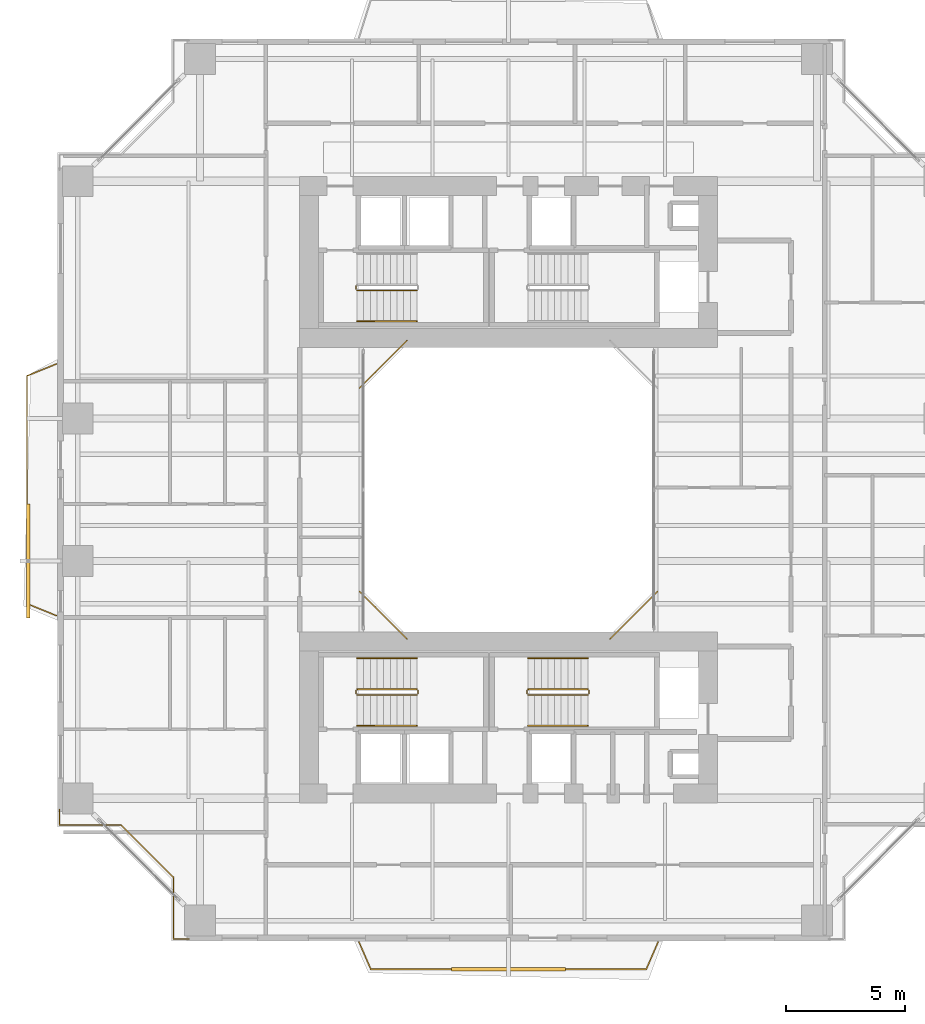
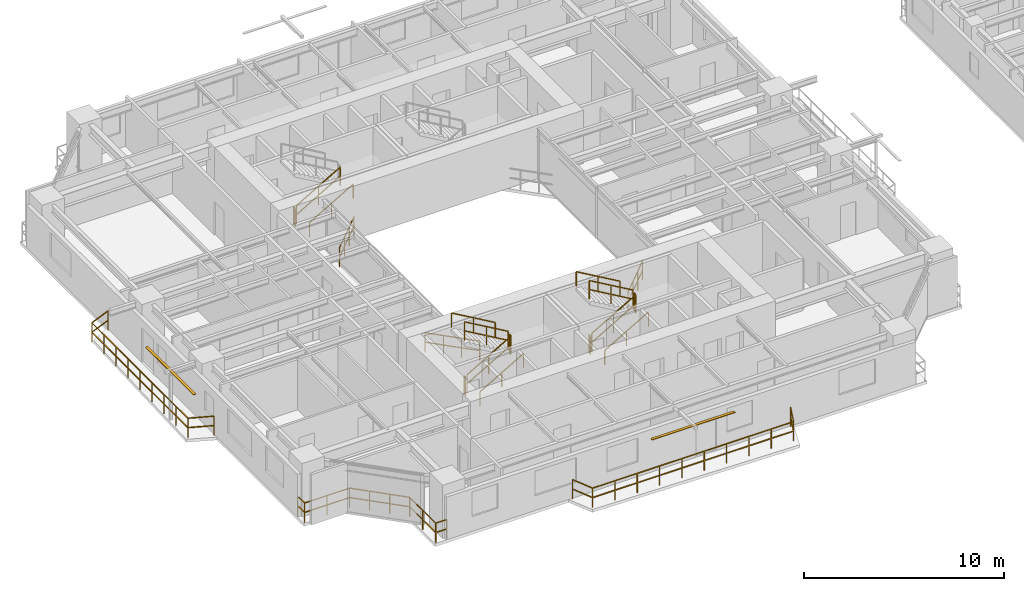
# One storey, part 19 of 23: 21 railings, 2 shading devices.
"""IFC4 building model written with IfcOpenShell, lengths in metres."""

from ifc_helpers import new_model, si_unit, direction, frame, origin, origin_2d, place, context, subcontext, project, spatial, rectangle, extrude, source, transform, mapped, material, material_profile, profile_set, type_object, element, save


model = new_model("IFC4")

# Units and contexts
model_context = context("Model", 3, precision=1e-05, world=origin(), true_north=direction((0.0, 1.0)))
body_context = subcontext(model_context, "Body", "Model", "MODEL_VIEW")
ifc_project = project(units=[si_unit("LENGTHUNIT", "METRE"), si_unit("AREAUNIT", "SQUARE_METRE"), si_unit("VOLUMEUNIT", "CUBIC_METRE"), si_unit("PLANEANGLEUNIT", "RADIAN"), si_unit("MASSUNIT", "GRAM", prefix="KILO"), si_unit("THERMODYNAMICTEMPERATUREUNIT", "KELVIN"), si_unit("POWERUNIT", "WATT")], contexts=[model_context])

# Site, building, storey
site_placement = place(None, origin())
site = spatial("IfcSite", under=ifc_project, at=site_placement, CompositionType="ELEMENT")
building_placement = place(site_placement, origin())
building = spatial("IfcBuilding", under=site, at=building_placement, Name="Qiaomeng Ring Towers", CompositionType="ELEMENT")
storey_placement = place(building_placement, frame((0.0, 0.0, 76.25)))
storey = spatial("IfcBuildingStorey", under=building, at=storey_placement, Name="L21", CompositionType="ELEMENT", Elevation=76.25)

# Railings
ifc_material_1 = material(Name="Low-E pale-green laminated safety glass", Category="glass")
railing_type_1 = type_object("IfcRailingType", Name="ARC-RL-BAL1", PredefinedType="BALUSTRADE", material=ifc_material_1)
railing_1_placement = place(storey_placement, frame((23.280029296875, 16.719970703125, 0.0)))
element("IfcRailing", 1, at=railing_1_placement, inside=storey, type_object=railing_type_1, Name="L21 Balustrade ARC-BAL-WELL1-L21-1", PredefinedType="BALUSTRADE", context=body_context, shape_type="SweptSolid", body=[
    extrude(rectangle(XDim=0.048095703125, YDim=0.048095703125, at=origin_2d()), frame((0.0, 0.0, 1.17578125), z_axis=(0.707106781187, 0.707106781187, 0.0), x_axis=(-0.707106781187, 0.707106781187, 0.0)), (0.0, 0.0, 1.0), 2.828369140625),
    extrude(rectangle(XDim=0.048095703125, YDim=0.048095703125, at=origin_2d()), frame((0.0, 0.0, 0.60009765625), z_axis=(0.707106781187, 0.707106781187, 0.0), x_axis=(-0.707106781187, 0.707106781187, 0.0)), (0.0, 0.0, 1.0), 2.828369140625),
    extrude(rectangle(XDim=0.0419921875, YDim=0.0419921875, at=origin_2d()), origin(), (0.0, 0.0, 1.0), 1.15185546875),
    extrude(rectangle(XDim=0.0419921875, YDim=0.0419921875, at=origin_2d()), frame((0.666748046875, 0.666748046875, 0.0)), (0.0, 0.0, 1.0), 1.15185546875),
    extrude(rectangle(XDim=0.0419921875, YDim=0.0419921875, at=origin_2d()), frame((1.333251953125, 1.333251953125, 0.0)), (0.0, 0.0, 1.0), 1.15185546875),
    extrude(rectangle(XDim=0.0419921875, YDim=0.0419921875, at=origin_2d()), frame((2.0, 2.0, 0.0)), (0.0, 0.0, 1.0), 1.15185546875),
])
railing_2_placement = place(storey_placement, frame((14.719970703125, 29.280029296875, 0.0)))
element("IfcRailing", 2, at=railing_2_placement, inside=storey, type_object=railing_type_1, Name="L21 Balustrade ARC-BAL-WELL1-L21-3", PredefinedType="BALUSTRADE", context=body_context, shape_type="SweptSolid", body=[
    extrude(rectangle(XDim=0.048095703125, YDim=0.048095703125, at=origin_2d()), frame((0.0, 0.0, 1.17578125), z_axis=(-0.707106781187, -0.707106781187, 0.0), x_axis=(0.707106781187, -0.707106781187, 0.0)), (0.0, 0.0, 1.0), 2.828369140625),
    extrude(rectangle(XDim=0.048095703125, YDim=0.048095703125, at=origin_2d()), frame((0.0, 0.0, 0.60009765625), z_axis=(-0.707106781187, -0.707106781187, 0.0), x_axis=(0.707106781187, -0.707106781187, 0.0)), (0.0, 0.0, 1.0), 2.828369140625),
    extrude(rectangle(XDim=0.0419921875, YDim=0.0419921875, at=origin_2d()), origin(), (0.0, 0.0, 1.0), 1.15185546875),
    extrude(rectangle(XDim=0.0419921875, YDim=0.0419921875, at=origin_2d()), frame((-0.666748046875, -0.666748046875, 0.0)), (0.0, 0.0, 1.0), 1.15185546875),
    extrude(rectangle(XDim=0.0419921875, YDim=0.0419921875, at=origin_2d()), frame((-1.333251953125, -1.333251953125, 0.0)), (0.0, 0.0, 1.0), 1.15185546875),
    extrude(rectangle(XDim=0.0419921875, YDim=0.0419921875, at=origin_2d()), frame((-2.0, -2.0, 0.0)), (0.0, 0.0, 1.0), 1.15185546875),
])
railing_3_placement = place(storey_placement, frame((12.719970703125, 18.719970703125, 0.0)))
element("IfcRailing", 3, at=railing_3_placement, inside=storey, type_object=railing_type_1, Name="L21 Balustrade ARC-BAL-WELL1-L21-4", PredefinedType="BALUSTRADE", context=body_context, shape_type="SweptSolid", body=[
    extrude(rectangle(XDim=0.048095703125, YDim=0.048095703125, at=origin_2d()), frame((0.0, 0.0, 1.17578125), z_axis=(0.707106781187, -0.707106781187, 0.0), x_axis=(0.707106781187, 0.707106781187, 0.0)), (0.0, 0.0, 1.0), 2.828369140625),
    extrude(rectangle(XDim=0.048095703125, YDim=0.048095703125, at=origin_2d()), frame((0.0, 0.0, 0.60009765625), z_axis=(0.707106781187, -0.707106781187, 0.0), x_axis=(0.707106781187, 0.707106781187, 0.0)), (0.0, 0.0, 1.0), 2.828369140625),
    extrude(rectangle(XDim=0.0419921875, YDim=0.0419921875, at=origin_2d()), origin(), (0.0, 0.0, 1.0), 1.15185546875),
    extrude(rectangle(XDim=0.0419921875, YDim=0.0419921875, at=origin_2d()), frame((0.666748046875, -0.666748046875, 0.0)), (0.0, 0.0, 1.0), 1.15185546875),
    extrude(rectangle(XDim=0.0419921875, YDim=0.0419921875, at=origin_2d()), frame((1.333251953125, -1.333251953125, 0.0)), (0.0, 0.0, 1.0), 1.15185546875),
    extrude(rectangle(XDim=0.0419921875, YDim=0.0419921875, at=origin_2d()), frame((2.0, -2.0, 0.0)), (0.0, 0.0, 1.0), 1.15185546875),
])
railing_4_placement = place(storey_placement, frame((0.080078125, 9.530029296875, 0.0)))
element("IfcRailing", 4, at=railing_4_placement, inside=storey, type_object=railing_type_1, Name="L21 Balustrade ARC-BAL-NOTCH1-L21-SW", PredefinedType="BALUSTRADE", context=body_context, shape_type="SweptSolid", body=[
    extrude(rectangle(XDim=0.048095703125, YDim=0.048095703125, at=origin_2d()), frame((0.0, 0.0, 1.17578125), z_axis=(0.0, -1.0, 0.0), x_axis=(1.0, 0.0, 0.0)), (0.0, 0.0, 1.0), 0.650146484375),
    extrude(rectangle(XDim=0.048095703125, YDim=0.048095703125, at=origin_2d()), frame((0.0, 0.0, 0.60009765625), z_axis=(0.0, -1.0, 0.0), x_axis=(1.0, 0.0, 0.0)), (0.0, 0.0, 1.0), 0.650146484375),
    extrude(rectangle(XDim=0.048095703125, YDim=0.048095703125, at=origin_2d()), frame((0.0, -0.650146484375, 1.17578125), z_axis=(1.0, 0.0, 0.0), x_axis=(0.0, 1.0, 0.0)), (0.0, 0.0, 1.0), 2.599853515625),
    extrude(rectangle(XDim=0.048095703125, YDim=0.048095703125, at=origin_2d()), frame((0.0, -0.650146484375, 0.60009765625), z_axis=(1.0, 0.0, 0.0), x_axis=(0.0, 1.0, 0.0)), (0.0, 0.0, 1.0), 2.599853515625),
    extrude(rectangle(XDim=0.048095703125, YDim=0.048095703125, at=origin_2d()), frame((2.599853515625, -0.650146484375, 1.17578125), z_axis=(0.707106781187, -0.707106781187, 0.0), x_axis=(0.707106781187, 0.707106781187, 0.0)), (0.0, 0.0, 1.0), 3.111083984375),
    extrude(rectangle(XDim=0.048095703125, YDim=0.048095703125, at=origin_2d()), frame((2.599853515625, -0.650146484375, 0.60009765625), z_axis=(0.707106781187, -0.707106781187, 0.0), x_axis=(0.707106781187, 0.707106781187, 0.0)), (0.0, 0.0, 1.0), 3.111083984375),
    extrude(rectangle(XDim=0.048095703125, YDim=0.048095703125, at=origin_2d()), frame((4.7998046875, -2.85009765625, 1.17578125), z_axis=(0.0, -1.0, 0.0), x_axis=(1.0, 0.0, 0.0)), (0.0, 0.0, 1.0), 2.599853515625),
    extrude(rectangle(XDim=0.048095703125, YDim=0.048095703125, at=origin_2d()), frame((4.7998046875, -2.85009765625, 0.60009765625), z_axis=(0.0, -1.0, 0.0), x_axis=(1.0, 0.0, 0.0)), (0.0, 0.0, 1.0), 2.599853515625),
    extrude(rectangle(XDim=0.048095703125, YDim=0.048095703125, at=origin_2d()), frame((4.7998046875, -5.449951171875, 1.17578125), z_axis=(1.0, 0.0, 0.0), x_axis=(0.0, 1.0, 0.0)), (0.0, 0.0, 1.0), 0.650146484375),
    extrude(rectangle(XDim=0.048095703125, YDim=0.048095703125, at=origin_2d()), frame((4.7998046875, -5.449951171875, 0.60009765625), z_axis=(1.0, 0.0, 0.0), x_axis=(0.0, 1.0, 0.0)), (0.0, 0.0, 1.0), 0.650146484375),
    extrude(rectangle(XDim=0.0419921875, YDim=0.0419921875, at=origin_2d()), origin(), (0.0, 0.0, 1.0), 1.15185546875),
    extrude(rectangle(XDim=0.0419921875, YDim=0.0419921875, at=origin_2d()), frame((0.0, -0.650146484375, 0.0)), (0.0, 0.0, 1.0), 1.15185546875),
    extrude(rectangle(XDim=0.0419921875, YDim=0.0419921875, at=origin_2d()), frame((1.2998046875, -0.650146484375, 0.0)), (0.0, 0.0, 1.0), 1.15185546875),
    extrude(rectangle(XDim=0.0419921875, YDim=0.0419921875, at=origin_2d()), frame((2.599853515625, -0.650146484375, 0.0)), (0.0, 0.0, 1.0), 1.15185546875),
    extrude(rectangle(XDim=0.0419921875, YDim=0.0419921875, at=origin_2d()), frame((3.333251953125, -1.383544921875, 0.0)), (0.0, 0.0, 1.0), 1.15185546875),
    extrude(rectangle(XDim=0.0419921875, YDim=0.0419921875, at=origin_2d()), frame((4.06640625, -2.11669921875, 0.0)), (0.0, 0.0, 1.0), 1.15185546875),
    extrude(rectangle(XDim=0.0419921875, YDim=0.0419921875, at=origin_2d()), frame((4.7998046875, -2.85009765625, 0.0)), (0.0, 0.0, 1.0), 1.15185546875),
    extrude(rectangle(XDim=0.0419921875, YDim=0.0419921875, at=origin_2d()), frame((4.7998046875, -4.14990234375, 0.0)), (0.0, 0.0, 1.0), 1.15185546875),
    extrude(rectangle(XDim=0.0419921875, YDim=0.0419921875, at=origin_2d()), frame((4.7998046875, -5.449951171875, 0.0)), (0.0, 0.0, 1.0), 1.15185546875),
    extrude(rectangle(XDim=0.0419921875, YDim=0.0419921875, at=origin_2d()), frame((5.449951171875, -5.449951171875, 0.0)), (0.0, 0.0, 1.0), 1.15185546875),
])
railing_5_placement = place(storey_placement, frame((12.699951171875, 3.949951171875, 0.0)))
element("IfcRailing", 5, at=railing_5_placement, inside=storey, type_object=railing_type_1, Name="L21 Balustrade ARC-BAL-L21-T1-S", PredefinedType="BALUSTRADE", context=body_context, shape_type="SweptSolid", body=[
    extrude(rectangle(XDim=0.048095703125, YDim=0.048095703125, at=origin_2d()), frame((0.0, 0.0, 1.17578125), z_axis=(0.398754589448, -0.917057673974, 0.0), x_axis=(0.917057673974, 0.398754589448, 0.0)), (0.0, 0.0, 1.0), 1.25390625),
    extrude(rectangle(XDim=0.048095703125, YDim=0.048095703125, at=origin_2d()), frame((0.0, 0.0, 0.60009765625), z_axis=(0.398754589448, -0.917057673974, 0.0), x_axis=(0.917057673974, 0.398754589448, 0.0)), (0.0, 0.0, 1.0), 1.25390625),
    extrude(rectangle(XDim=0.048095703125, YDim=0.048095703125, at=origin_2d()), frame((0.5, -1.14990234375, 1.17578125), z_axis=(1.0, 0.0, 0.0), x_axis=(0.0, 1.0, 0.0)), (0.0, 0.0, 1.0), 11.60009765625),
    extrude(rectangle(XDim=0.048095703125, YDim=0.048095703125, at=origin_2d()), frame((0.5, -1.14990234375, 0.60009765625), z_axis=(1.0, 0.0, 0.0), x_axis=(0.0, 1.0, 0.0)), (0.0, 0.0, 1.0), 11.60009765625),
    extrude(rectangle(XDim=0.048095703125, YDim=0.048095703125, at=origin_2d()), frame((12.10009765625, -1.14990234375, 1.17578125), z_axis=(0.398754589448, 0.917057673974, 0.0), x_axis=(-0.917057673974, 0.398754589448, 0.0)), (0.0, 0.0, 1.0), 1.25390625),
    extrude(rectangle(XDim=0.048095703125, YDim=0.048095703125, at=origin_2d()), frame((12.10009765625, -1.14990234375, 0.60009765625), z_axis=(0.398754589448, 0.917057673974, 0.0), x_axis=(-0.917057673974, 0.398754589448, 0.0)), (0.0, 0.0, 1.0), 1.25390625),
    extrude(rectangle(XDim=0.0419921875, YDim=0.0419921875, at=origin_2d()), origin(), (0.0, 0.0, 1.0), 1.15185546875),
    extrude(rectangle(XDim=0.0419921875, YDim=0.0419921875, at=origin_2d()), frame((0.5, -1.14990234375, 0.0)), (0.0, 0.0, 1.0), 1.15185546875),
    extrude(rectangle(XDim=0.0419921875, YDim=0.0419921875, at=origin_2d()), frame((1.788818359375, -1.14990234375, 0.0)), (0.0, 0.0, 1.0), 1.15185546875),
    extrude(rectangle(XDim=0.0419921875, YDim=0.0419921875, at=origin_2d()), frame((3.077880859375, -1.14990234375, 0.0)), (0.0, 0.0, 1.0), 1.15185546875),
    extrude(rectangle(XDim=0.0419921875, YDim=0.0419921875, at=origin_2d()), frame((4.36669921875, -1.14990234375, 0.0)), (0.0, 0.0, 1.0), 1.15185546875),
    extrude(rectangle(XDim=0.0419921875, YDim=0.0419921875, at=origin_2d()), frame((5.655517578125, -1.14990234375, 0.0)), (0.0, 0.0, 1.0), 1.15185546875),
    extrude(rectangle(XDim=0.0419921875, YDim=0.0419921875, at=origin_2d()), frame((6.944580078125, -1.14990234375, 0.0)), (0.0, 0.0, 1.0), 1.15185546875),
    extrude(rectangle(XDim=0.0419921875, YDim=0.0419921875, at=origin_2d()), frame((8.2333984375, -1.14990234375, 0.0)), (0.0, 0.0, 1.0), 1.15185546875),
    extrude(rectangle(XDim=0.0419921875, YDim=0.0419921875, at=origin_2d()), frame((9.522216796875, -1.14990234375, 0.0)), (0.0, 0.0, 1.0), 1.15185546875),
    extrude(rectangle(XDim=0.0419921875, YDim=0.0419921875, at=origin_2d()), frame((10.811279296875, -1.14990234375, 0.0)), (0.0, 0.0, 1.0), 1.15185546875),
    extrude(rectangle(XDim=0.0419921875, YDim=0.0419921875, at=origin_2d()), frame((12.10009765625, -1.14990234375, 0.0)), (0.0, 0.0, 1.0), 1.15185546875),
    extrude(rectangle(XDim=0.0419921875, YDim=0.0419921875, at=origin_2d()), frame((12.60009765625, 0.0, 0.0)), (0.0, 0.0, 1.0), 1.15185546875),
])
railing_6_placement = place(storey_placement, frame((-0.050048828125, 17.699951171875, 0.0)))
element("IfcRailing", 6, at=railing_6_placement, inside=storey, type_object=railing_type_1, Name="L21 Balustrade ARC-BAL-L21-T1-W", PredefinedType="BALUSTRADE", context=body_context, shape_type="SweptSolid", body=[
    extrude(rectangle(XDim=0.048095703125, YDim=0.048095703125, at=origin_2d()), frame((0.0, 0.0, 1.17578125), z_axis=(-0.926382398109, 0.376584190418, 0.0), x_axis=(-0.376584190418, -0.926382398109, 0.0)), (0.0, 0.0, 1.0), 1.32763671875),
    extrude(rectangle(XDim=0.048095703125, YDim=0.048095703125, at=origin_2d()), frame((0.0, 0.0, 0.60009765625), z_axis=(-0.926382398109, 0.376584190418, 0.0), x_axis=(-0.376584190418, -0.926382398109, 0.0)), (0.0, 0.0, 1.0), 1.32763671875),
    extrude(rectangle(XDim=0.048095703125, YDim=0.048095703125, at=origin_2d()), frame((-1.22998046875, 0.5, 1.17578125), z_axis=(0.0, 1.0, 0.0), x_axis=(-1.0, 0.0, 0.0)), (0.0, 0.0, 1.0), 9.60009765625),
    extrude(rectangle(XDim=0.048095703125, YDim=0.048095703125, at=origin_2d()), frame((-1.22998046875, 0.5, 0.60009765625), z_axis=(0.0, 1.0, 0.0), x_axis=(-1.0, 0.0, 0.0)), (0.0, 0.0, 1.0), 9.60009765625),
    extrude(rectangle(XDim=0.048095703125, YDim=0.048095703125, at=origin_2d()), frame((-1.22998046875, 10.10009765625, 1.17578125), z_axis=(0.926382398109, 0.376584190418, 0.0), x_axis=(-0.376584190418, 0.926382398109, 0.0)), (0.0, 0.0, 1.0), 1.32763671875),
    extrude(rectangle(XDim=0.048095703125, YDim=0.048095703125, at=origin_2d()), frame((-1.22998046875, 10.10009765625, 0.60009765625), z_axis=(0.926382398109, 0.376584190418, 0.0), x_axis=(-0.376584190418, 0.926382398109, 0.0)), (0.0, 0.0, 1.0), 1.32763671875),
    extrude(rectangle(XDim=0.0419921875, YDim=0.0419921875, at=origin_2d()), origin(), (0.0, 0.0, 1.0), 1.15185546875),
    extrude(rectangle(XDim=0.0419921875, YDim=0.0419921875, at=origin_2d()), frame((-1.22998046875, 0.5, 0.0)), (0.0, 0.0, 1.0), 1.15185546875),
    extrude(rectangle(XDim=0.0419921875, YDim=0.0419921875, at=origin_2d()), frame((-1.22998046875, 1.699951171875, 0.0)), (0.0, 0.0, 1.0), 1.15185546875),
    extrude(rectangle(XDim=0.0419921875, YDim=0.0419921875, at=origin_2d()), frame((-1.22998046875, 2.89990234375, 0.0)), (0.0, 0.0, 1.0), 1.15185546875),
    extrude(rectangle(XDim=0.0419921875, YDim=0.0419921875, at=origin_2d()), frame((-1.22998046875, 4.10009765625, 0.0)), (0.0, 0.0, 1.0), 1.15185546875),
    extrude(rectangle(XDim=0.0419921875, YDim=0.0419921875, at=origin_2d()), frame((-1.22998046875, 5.300048828125, 0.0)), (0.0, 0.0, 1.0), 1.15185546875),
    extrude(rectangle(XDim=0.0419921875, YDim=0.0419921875, at=origin_2d()), frame((-1.22998046875, 6.5, 0.0)), (0.0, 0.0, 1.0), 1.15185546875),
    extrude(rectangle(XDim=0.0419921875, YDim=0.0419921875, at=origin_2d()), frame((-1.22998046875, 7.7001953125, 0.0)), (0.0, 0.0, 1.0), 1.15185546875),
    extrude(rectangle(XDim=0.0419921875, YDim=0.0419921875, at=origin_2d()), frame((-1.22998046875, 8.900146484375, 0.0)), (0.0, 0.0, 1.0), 1.15185546875),
    extrude(rectangle(XDim=0.0419921875, YDim=0.0419921875, at=origin_2d()), frame((-1.22998046875, 10.10009765625, 0.0)), (0.0, 0.0, 1.0), 1.15185546875),
    extrude(rectangle(XDim=0.0419921875, YDim=0.0419921875, at=origin_2d()), frame((0.0, 10.60009765625, 0.0)), (0.0, 0.0, 1.0), 1.15185546875),
])
ifc_material_2 = material(Name="Galvanised steel", Category="steel")
railing_type_2 = type_object("IfcRailingType", Name="ARC-RL-GUARD", PredefinedType="GUARDRAIL", material=ifc_material_2)
railing_7_placement = place(storey_placement, frame((12.6201171875, 31.39990234375, 0.16259765625)))
element("IfcRailing", 7, at=railing_7_placement, inside=storey, type_object=railing_type_2, Name="L21 ST1 stair guard 1", PredefinedType="GUARDRAIL", context=body_context, shape_type="SweptSolid", body=[
    extrude(rectangle(XDim=0.048095703125, YDim=0.048095703125, at=origin_2d()), frame((0.0, 0.0, 1.1259765625), z_axis=(0.864892226395, 0.0, 0.501957604506), x_axis=(0.0, 1.0, 0.0)), (0.0, 0.0, 1.0), 2.913330078125),
    extrude(rectangle(XDim=0.048095703125, YDim=0.048095703125, at=origin_2d()), frame((0.0, 0.0, 0.574951171875), z_axis=(0.864892226395, 0.0, 0.501957604506), x_axis=(0.0, 1.0, 0.0)), (0.0, 0.0, 1.0), 2.913330078125),
    extrude(rectangle(XDim=0.0419921875, YDim=0.0419921875, at=origin_2d()), origin(), (0.0, 0.0, 1.0), 1.101806640625),
    extrude(rectangle(XDim=0.0419921875, YDim=0.0419921875, at=origin_2d()), frame((1.259765625, 0.0, 0.731201171875)), (0.0, 0.0, 1.0), 1.101806640625),
    extrude(rectangle(XDim=0.0419921875, YDim=0.0419921875, at=origin_2d()), frame((2.519775390625, 0.0, 1.46240234375)), (0.0, 0.0, 1.0), 1.101806640625),
])
railing_8_placement = place(storey_placement, frame((12.570068359375, 31.449951171875, 0.0)))
element("IfcRailing", 8, at=railing_8_placement, inside=storey, type_object=railing_type_2, Name="L21 ST1 stair guard 4", PredefinedType="GUARDRAIL", context=body_context, shape_type="SweptSolid", body=[
    extrude(rectangle(XDim=0.048095703125, YDim=0.048095703125, at=origin_2d()), frame((0.0, 0.0, 1.1259765625), z_axis=(0.0, 1.0, 0.0), x_axis=(-1.0, 0.0, 0.0)), (0.0, 0.0, 1.0), 0.14013671875),
    extrude(rectangle(XDim=0.048095703125, YDim=0.048095703125, at=origin_2d()), frame((0.0, 0.0, 0.574951171875), z_axis=(0.0, 1.0, 0.0), x_axis=(-1.0, 0.0, 0.0)), (0.0, 0.0, 1.0), 0.14013671875),
    extrude(rectangle(XDim=0.0419921875, YDim=0.0419921875, at=origin_2d()), origin(), (0.0, 0.0, 1.0), 1.101806640625),
    extrude(rectangle(XDim=0.0419921875, YDim=0.0419921875, at=origin_2d()), frame((0.0, 0.14013671875, 0.0)), (0.0, 0.0, 1.0), 1.101806640625),
])
railing_9_placement = place(storey_placement, frame((12.6201171875, 14.360107421875, 0.16259765625)))
element("IfcRailing", 9, at=railing_9_placement, inside=storey, type_object=railing_type_2, Name="L21 ST3 stair guard 1", PredefinedType="GUARDRAIL", context=body_context, shape_type="SweptSolid", body=[
    extrude(rectangle(XDim=0.048095703125, YDim=0.048095703125, at=origin_2d()), frame((0.0, 0.0, 1.1259765625), z_axis=(0.864892226395, 0.0, 0.501957604506), x_axis=(0.0, 1.0, 0.0)), (0.0, 0.0, 1.0), 2.913330078125),
    extrude(rectangle(XDim=0.048095703125, YDim=0.048095703125, at=origin_2d()), frame((0.0, 0.0, 0.574951171875), z_axis=(0.864892226395, 0.0, 0.501957604506), x_axis=(0.0, 1.0, 0.0)), (0.0, 0.0, 1.0), 2.913330078125),
    extrude(rectangle(XDim=0.0419921875, YDim=0.0419921875, at=origin_2d()), origin(), (0.0, 0.0, 1.0), 1.101806640625),
    extrude(rectangle(XDim=0.0419921875, YDim=0.0419921875, at=origin_2d()), frame((1.259765625, 0.0, 0.731201171875)), (0.0, 0.0, 1.0), 1.101806640625),
    extrude(rectangle(XDim=0.0419921875, YDim=0.0419921875, at=origin_2d()), frame((2.519775390625, 0.0, 1.46240234375)), (0.0, 0.0, 1.0), 1.101806640625),
])
railing_10_placement = place(storey_placement, frame((15.18994140625, 14.409912109375, 1.625)))
element("IfcRailing", 10, at=railing_10_placement, inside=storey, type_object=railing_type_2, Name="L21 ST3 stair guard 2", PredefinedType="GUARDRAIL", context=body_context, shape_type="SweptSolid", body=[
    extrude(rectangle(XDim=0.048095703125, YDim=0.048095703125, at=origin_2d()), frame((0.0, 0.0, 1.1259765625), z_axis=(0.0, 1.0, 0.0), x_axis=(-1.0, 0.0, 0.0)), (0.0, 0.0, 1.0), 0.14013671875),
    extrude(rectangle(XDim=0.048095703125, YDim=0.048095703125, at=origin_2d()), frame((0.0, 0.0, 0.574951171875), z_axis=(0.0, 1.0, 0.0), x_axis=(-1.0, 0.0, 0.0)), (0.0, 0.0, 1.0), 0.14013671875),
    extrude(rectangle(XDim=0.0419921875, YDim=0.0419921875, at=origin_2d()), origin(), (0.0, 0.0, 1.0), 1.101806640625),
    extrude(rectangle(XDim=0.0419921875, YDim=0.0419921875, at=origin_2d()), frame((0.0, 0.14013671875, 0.0)), (0.0, 0.0, 1.0), 1.101806640625),
])
railing_11_placement = place(storey_placement, frame((15.139892578125, 14.60009765625, 1.78759765625)))
element("IfcRailing", 11, at=railing_11_placement, inside=storey, type_object=railing_type_2, Name="L21 ST3 stair guard 3", PredefinedType="GUARDRAIL", context=body_context, shape_type="SweptSolid", body=[
    extrude(rectangle(XDim=0.048095703125, YDim=0.048095703125, at=origin_2d()), frame((0.0, 0.0, 1.1259765625), z_axis=(-0.864892226395, 0.0, 0.501957604506), x_axis=(0.0, -1.0, 0.0)), (0.0, 0.0, 1.0), 2.913330078125),
    extrude(rectangle(XDim=0.048095703125, YDim=0.048095703125, at=origin_2d()), frame((0.0, 0.0, 0.574951171875), z_axis=(-0.864892226395, 0.0, 0.501957604506), x_axis=(0.0, -1.0, 0.0)), (0.0, 0.0, 1.0), 2.913330078125),
    extrude(rectangle(XDim=0.0419921875, YDim=0.0419921875, at=origin_2d()), origin(), (0.0, 0.0, 1.0), 1.101806640625),
    extrude(rectangle(XDim=0.0419921875, YDim=0.0419921875, at=origin_2d()), frame((-1.259765625, 0.0, 0.731201171875)), (0.0, 0.0, 1.0), 1.101806640625),
    extrude(rectangle(XDim=0.0419921875, YDim=0.0419921875, at=origin_2d()), frame((-2.519775390625, 0.0, 1.46240234375)), (0.0, 0.0, 1.0), 1.101806640625),
])
railing_12_placement = place(storey_placement, frame((12.570068359375, 14.409912109375, 0.0)))
element("IfcRailing", 12, at=railing_12_placement, inside=storey, type_object=railing_type_2, Name="L21 ST3 stair guard 4", PredefinedType="GUARDRAIL", context=body_context, shape_type="SweptSolid", body=[
    extrude(rectangle(XDim=0.048095703125, YDim=0.048095703125, at=origin_2d()), frame((0.0, 0.0, 1.1259765625), z_axis=(0.0, 1.0, 0.0), x_axis=(-1.0, 0.0, 0.0)), (0.0, 0.0, 1.0), 0.14013671875),
    extrude(rectangle(XDim=0.048095703125, YDim=0.048095703125, at=origin_2d()), frame((0.0, 0.0, 0.574951171875), z_axis=(0.0, 1.0, 0.0), x_axis=(-1.0, 0.0, 0.0)), (0.0, 0.0, 1.0), 0.14013671875),
    extrude(rectangle(XDim=0.0419921875, YDim=0.0419921875, at=origin_2d()), origin(), (0.0, 0.0, 1.0), 1.101806640625),
    extrude(rectangle(XDim=0.0419921875, YDim=0.0419921875, at=origin_2d()), frame((0.0, 0.14013671875, 0.0)), (0.0, 0.0, 1.0), 1.101806640625),
])
railing_13_placement = place(storey_placement, frame((19.820068359375, 14.360107421875, 0.16259765625)))
element("IfcRailing", 13, at=railing_13_placement, inside=storey, type_object=railing_type_2, Name="L21 ST4 stair guard 1", PredefinedType="GUARDRAIL", context=body_context, shape_type="SweptSolid", body=[
    extrude(rectangle(XDim=0.048095703125, YDim=0.048095703125, at=origin_2d()), frame((0.0, 0.0, 1.1259765625), z_axis=(0.864913338283, 0.0, 0.50192122615), x_axis=(0.0, 1.0, 0.0)), (0.0, 0.0, 1.0), 2.91357421875),
    extrude(rectangle(XDim=0.048095703125, YDim=0.048095703125, at=origin_2d()), frame((0.0, 0.0, 0.574951171875), z_axis=(0.864913338283, 0.0, 0.50192122615), x_axis=(0.0, 1.0, 0.0)), (0.0, 0.0, 1.0), 2.91357421875),
    extrude(rectangle(XDim=0.0419921875, YDim=0.0419921875, at=origin_2d()), origin(), (0.0, 0.0, 1.0), 1.101806640625),
    extrude(rectangle(XDim=0.0419921875, YDim=0.0419921875, at=origin_2d()), frame((1.260009765625, 0.0, 0.731201171875)), (0.0, 0.0, 1.0), 1.101806640625),
    extrude(rectangle(XDim=0.0419921875, YDim=0.0419921875, at=origin_2d()), frame((2.52001953125, 0.0, 1.46240234375)), (0.0, 0.0, 1.0), 1.101806640625),
])
railing_14_placement = place(storey_placement, frame((22.389892578125, 14.409912109375, 1.625)))
element("IfcRailing", 14, at=railing_14_placement, inside=storey, type_object=railing_type_2, Name="L21 ST4 stair guard 2", PredefinedType="GUARDRAIL", context=body_context, shape_type="SweptSolid", body=[
    extrude(rectangle(XDim=0.048095703125, YDim=0.048095703125, at=origin_2d()), frame((0.0, 0.0, 1.1259765625), z_axis=(0.0, 1.0, 0.0), x_axis=(-1.0, 0.0, 0.0)), (0.0, 0.0, 1.0), 0.14013671875),
    extrude(rectangle(XDim=0.048095703125, YDim=0.048095703125, at=origin_2d()), frame((0.0, 0.0, 0.574951171875), z_axis=(0.0, 1.0, 0.0), x_axis=(-1.0, 0.0, 0.0)), (0.0, 0.0, 1.0), 0.14013671875),
    extrude(rectangle(XDim=0.0419921875, YDim=0.0419921875, at=origin_2d()), origin(), (0.0, 0.0, 1.0), 1.101806640625),
    extrude(rectangle(XDim=0.0419921875, YDim=0.0419921875, at=origin_2d()), frame((0.0, 0.14013671875, 0.0)), (0.0, 0.0, 1.0), 1.101806640625),
])
railing_15_placement = place(storey_placement, frame((22.340087890625, 14.60009765625, 1.78759765625)))
element("IfcRailing", 15, at=railing_15_placement, inside=storey, type_object=railing_type_2, Name="L21 ST4 stair guard 3", PredefinedType="GUARDRAIL", context=body_context, shape_type="SweptSolid", body=[
    extrude(rectangle(XDim=0.048095703125, YDim=0.048095703125, at=origin_2d()), frame((0.0, 0.0, 1.1259765625), z_axis=(-0.864913338283, 0.0, 0.50192122615), x_axis=(0.0, -1.0, 0.0)), (0.0, 0.0, 1.0), 2.91357421875),
    extrude(rectangle(XDim=0.048095703125, YDim=0.048095703125, at=origin_2d()), frame((0.0, 0.0, 0.574951171875), z_axis=(-0.864913338283, 0.0, 0.50192122615), x_axis=(0.0, -1.0, 0.0)), (0.0, 0.0, 1.0), 2.91357421875),
    extrude(rectangle(XDim=0.0419921875, YDim=0.0419921875, at=origin_2d()), origin(), (0.0, 0.0, 1.0), 1.101806640625),
    extrude(rectangle(XDim=0.0419921875, YDim=0.0419921875, at=origin_2d()), frame((-1.260009765625, 0.0, 0.731201171875)), (0.0, 0.0, 1.0), 1.101806640625),
    extrude(rectangle(XDim=0.0419921875, YDim=0.0419921875, at=origin_2d()), frame((-2.52001953125, 0.0, 1.46240234375)), (0.0, 0.0, 1.0), 1.101806640625),
])
railing_16_placement = place(storey_placement, frame((19.77001953125, 14.409912109375, 0.0)))
element("IfcRailing", 16, at=railing_16_placement, inside=storey, type_object=railing_type_2, Name="L21 ST4 stair guard 4", PredefinedType="GUARDRAIL", context=body_context, shape_type="SweptSolid", body=[
    extrude(rectangle(XDim=0.048095703125, YDim=0.048095703125, at=origin_2d()), frame((0.0, 0.0, 1.1259765625), z_axis=(0.0, 1.0, 0.0), x_axis=(-1.0, 0.0, 0.0)), (0.0, 0.0, 1.0), 0.14013671875),
    extrude(rectangle(XDim=0.048095703125, YDim=0.048095703125, at=origin_2d()), frame((0.0, 0.0, 0.574951171875), z_axis=(0.0, 1.0, 0.0), x_axis=(-1.0, 0.0, 0.0)), (0.0, 0.0, 1.0), 0.14013671875),
    extrude(rectangle(XDim=0.0419921875, YDim=0.0419921875, at=origin_2d()), origin(), (0.0, 0.0, 1.0), 1.101806640625),
    extrude(rectangle(XDim=0.0419921875, YDim=0.0419921875, at=origin_2d()), frame((0.0, 0.14013671875, 0.0)), (0.0, 0.0, 1.0), 1.101806640625),
])
ifc_material_3 = material(Name="Stainless steel 316", Category="steel")
railing_type_3 = type_object("IfcRailingType", Name="ARC-RL-HAND", PredefinedType="HANDRAIL", material=ifc_material_3)
for number, where, name in (
    (17, (12.6201171875, 30.10009765625, 0.16259765625), "L21 ST1 stair handrail 1"),
    (18, (12.6201171875, 13.06005859375, 0.16259765625), "L21 ST3 stair handrail 1"),
):
    element("IfcRailing", number, at=place(storey_placement, frame(where)), inside=storey, type_object=railing_type_3, Name=name, PredefinedType="HANDRAIL", context=body_context, shape_type="SweptSolid", body=[
        extrude(rectangle(XDim=0.048095703125, YDim=0.048095703125, at=origin_2d()), frame((0.0, 0.0, 0.8759765625), z_axis=(0.864892226395, 0.0, 0.501957604506), x_axis=(0.0, 1.0, 0.0)), (0.0, 0.0, 1.0), 2.913330078125),
        extrude(rectangle(XDim=0.0419921875, YDim=0.0419921875, at=origin_2d()), origin(), (0.0, 0.0, 1.0), 0.851806640625),
        extrude(rectangle(XDim=0.0419921875, YDim=0.0419921875, at=origin_2d()), frame((1.259765625, 0.0, 0.731201171875)), (0.0, 0.0, 1.0), 0.851806640625),
        extrude(rectangle(XDim=0.0419921875, YDim=0.0419921875, at=origin_2d()), frame((2.519775390625, 0.0, 1.46240234375)), (0.0, 0.0, 1.0), 0.851806640625),
    ])
railing_17_placement = place(storey_placement, frame((15.139892578125, 15.89990234375, 1.78759765625)))
element("IfcRailing", 19, at=railing_17_placement, inside=storey, type_object=railing_type_3, Name="L21 ST3 stair handrail 2", PredefinedType="HANDRAIL", context=body_context, shape_type="SweptSolid", body=[
    extrude(rectangle(XDim=0.048095703125, YDim=0.048095703125, at=origin_2d()), frame((0.0, 0.0, 0.8759765625), z_axis=(-0.864892226395, 0.0, 0.501957604506), x_axis=(0.0, -1.0, 0.0)), (0.0, 0.0, 1.0), 2.913330078125),
    extrude(rectangle(XDim=0.0419921875, YDim=0.0419921875, at=origin_2d()), origin(), (0.0, 0.0, 1.0), 0.851806640625),
    extrude(rectangle(XDim=0.0419921875, YDim=0.0419921875, at=origin_2d()), frame((-1.259765625, 0.0, 0.731201171875)), (0.0, 0.0, 1.0), 0.851806640625),
    extrude(rectangle(XDim=0.0419921875, YDim=0.0419921875, at=origin_2d()), frame((-2.519775390625, 0.0, 1.46240234375)), (0.0, 0.0, 1.0), 0.851806640625),
])
railing_18_placement = place(storey_placement, frame((19.820068359375, 13.06005859375, 0.16259765625)))
element("IfcRailing", 20, at=railing_18_placement, inside=storey, type_object=railing_type_3, Name="L21 ST4 stair handrail 1", PredefinedType="HANDRAIL", context=body_context, shape_type="SweptSolid", body=[
    extrude(rectangle(XDim=0.048095703125, YDim=0.048095703125, at=origin_2d()), frame((0.0, 0.0, 0.8759765625), z_axis=(0.864913338283, 0.0, 0.50192122615), x_axis=(0.0, 1.0, 0.0)), (0.0, 0.0, 1.0), 2.91357421875),
    extrude(rectangle(XDim=0.0419921875, YDim=0.0419921875, at=origin_2d()), origin(), (0.0, 0.0, 1.0), 0.851806640625),
    extrude(rectangle(XDim=0.0419921875, YDim=0.0419921875, at=origin_2d()), frame((1.260009765625, 0.0, 0.731201171875)), (0.0, 0.0, 1.0), 0.851806640625),
    extrude(rectangle(XDim=0.0419921875, YDim=0.0419921875, at=origin_2d()), frame((2.52001953125, 0.0, 1.46240234375)), (0.0, 0.0, 1.0), 0.851806640625),
])
railing_19_placement = place(storey_placement, frame((22.340087890625, 15.89990234375, 1.78759765625)))
element("IfcRailing", 21, at=railing_19_placement, inside=storey, type_object=railing_type_3, Name="L21 ST4 stair handrail 2", PredefinedType="HANDRAIL", context=body_context, shape_type="SweptSolid", body=[
    extrude(rectangle(XDim=0.048095703125, YDim=0.048095703125, at=origin_2d()), frame((0.0, 0.0, 0.8759765625), z_axis=(-0.864913338283, 0.0, 0.50192122615), x_axis=(0.0, -1.0, 0.0)), (0.0, 0.0, 1.0), 2.91357421875),
    extrude(rectangle(XDim=0.0419921875, YDim=0.0419921875, at=origin_2d()), origin(), (0.0, 0.0, 1.0), 0.851806640625),
    extrude(rectangle(XDim=0.0419921875, YDim=0.0419921875, at=origin_2d()), frame((-1.260009765625, 0.0, 0.731201171875)), (0.0, 0.0, 1.0), 0.851806640625),
    extrude(rectangle(XDim=0.0419921875, YDim=0.0419921875, at=origin_2d()), frame((-2.52001953125, 0.0, 1.46240234375)), (0.0, 0.0, 1.0), 0.851806640625),
])

# Shading devices
ifc_material_4 = material(Name="Fluorocarbon dark-grey aluminium", Category="aluminium")
ifc_material_profile = material_profile(ifc_material_4, rectangle(XDim=0.14990234375, YDim=0.034912109375, at=origin_2d()), Name="LV BLADE 150x35")
ifc_profile_set = profile_set([ifc_material_profile], Name="Fluorocarbon dark-grey aluminium")
shading_device_type = type_object("IfcShadingDeviceType", Name="ARC-SHD-SUN", PredefinedType="AWNING", material=ifc_profile_set)
shared_shape = source(origin(), body_context, "Body", "SweptSolid", [
    extrude(rectangle(XDim=0.14990234375, YDim=0.034912109375, at=origin_2d()), origin(), (0.0, 0.0, 1.0), 4.7998046875),
])
for number, where, z_axis, x_axis, name in (
    (22, (16.60009765625, 2.800048828125, 2.969970703125), (1.0, 0.0, 0.0), (0.0, 1.0, 0.0), "L21 Ventilated Outer-Skin Sunshade S"),
    (23, (-1.22998046875, 17.60009765625, 2.969970703125), (0.0, 1.0, 0.0), (-1.0, 0.0, 0.0), "L21 Ventilated Outer-Skin Sunshade W"),
):
    element("IfcShadingDevice", number, at=place(storey_placement, frame(where, z_axis=z_axis, x_axis=x_axis)), inside=storey, type_object=shading_device_type, Name=name, PredefinedType="AWNING", context=body_context, shape_type="MappedRepresentation", body=[
        mapped(shared_shape, transform((0.0, 0.0, 0.0), x_axis=(1.0, 0.0, 0.0), y_axis=(0.0, 1.0, 0.0), z_axis=(0.0, 0.0, 1.0), scale=1.0)),
    ])

save(model, "model.ifc")
